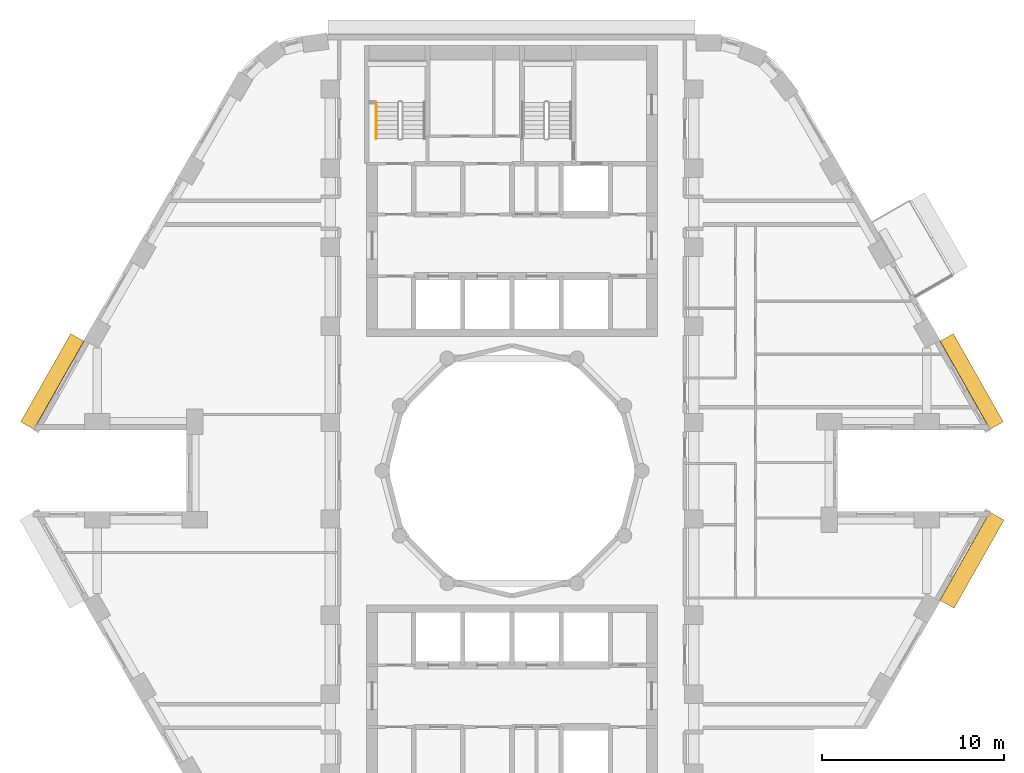
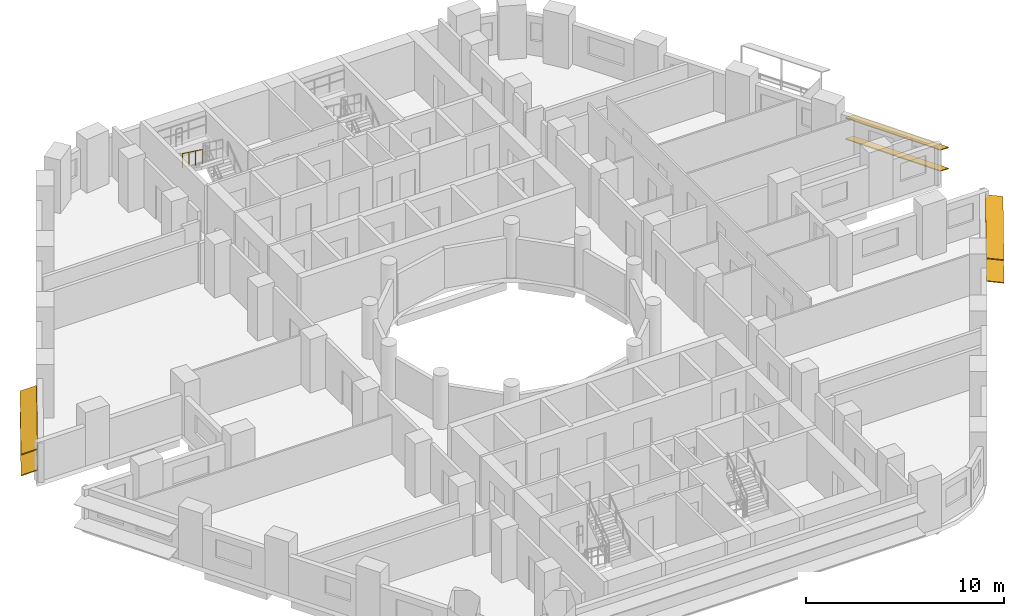
# One storey, part 12 of 13: 6 shading devices, 1 railing.
"""IFC4 building model written with IfcOpenShell, lengths in metres."""

from ifc_helpers import new_model, si_unit, direction, frame, origin, origin_2d, place, context, subcontext, project, spatial, rectangle, circle, extrude, material, material_profile, profile_set, type_object, element, save


model = new_model("IFC4")

# Units and contexts
model_context = context("Model", 3, precision=1e-05, world=origin(), true_north=direction((0.0, 1.0)))
body_context = subcontext(model_context, "Body", "Model", "MODEL_VIEW")
ifc_project = project(units=[si_unit("LENGTHUNIT", "METRE"), si_unit("AREAUNIT", "SQUARE_METRE"), si_unit("VOLUMEUNIT", "CUBIC_METRE"), si_unit("PLANEANGLEUNIT", "RADIAN"), si_unit("MASSUNIT", "GRAM", prefix="KILO")], contexts=[model_context])

# Site, building, storey
site_placement = place(None, origin())
site = spatial("IfcSite", under=ifc_project, at=site_placement, CompositionType="ELEMENT")
building_placement = place(site_placement, origin())
building = spatial("IfcBuilding", under=site, at=building_placement, Name="Nakaniwa Court", CompositionType="ELEMENT")
storey_placement = place(building_placement, frame((0.0, 0.0, 84.300048828125)))
storey = spatial("IfcBuildingStorey", under=building, at=storey_placement, Name="L21", CompositionType="ELEMENT", Elevation=84.300048828125)

# Shading devices
ifc_material_1 = material(Name="Perforated charcoal ceramic louvre blade")
ifc_material_profile = material_profile(ifc_material_1, rectangle(XDim=0.89990234375, YDim=0.050048828125, at=origin_2d()), Name="Perforated ceramic louvre blade")
ifc_profile_set = profile_set([ifc_material_profile], Name="Perforated charcoal ceramic louvre blade")
shading_device_type = type_object("IfcShadingDeviceType", Name="Perforated ceramic louvre blade", PredefinedType="JALOUSIE", material=ifc_profile_set)
for number, where, z_axis, x_axis, name in (
    (1, (106.662353515625, 82.480224609375, 0.550048828125), (-0.492438058427, 0.870347493024, 0.0), (-0.804676322539, -0.455281653718, 0.38107037635), "L21 perforated ceramic louvre blade w02 1"),
    (2, (106.662353515625, 82.480224609375, 1.845458984375), (-0.492438058427, 0.870347493024, 0.0), (-0.804676322539, -0.455281653718, 0.38107037635), "L21 perforated ceramic louvre blade w02 2"),
    (3, (56.083740234375, 87.333740234375, 0.550048828125), (-0.492438058427, -0.870347493024, 0.0), (0.804676322539, -0.455281653718, 0.38107037635), "L21 perforated ceramic louvre blade w14 1"),
    (4, (56.083740234375, 87.333740234375, 1.845458984375), (-0.492438058427, -0.870347493024, 0.0), (0.804676322539, -0.455281653718, 0.38107037635), "L21 perforated ceramic louvre blade w14 2"),
    (5, (103.93701171875, 72.654541015625, 0.550048828125), (0.492438058427, 0.870347493024, 0.0), (-0.862701960504, 0.488112256124, 0.132256390257), "L21 perforated ceramic louvre blade w32 1"),
    (6, (103.93701171875, 72.654541015625, 1.95556640625), (0.492438058427, 0.870347493024, 0.0), (-0.862701960504, 0.488112256124, 0.132256390257), "L21 perforated ceramic louvre blade w32 2"),
):
    element("IfcShadingDevice", number, at=place(storey_placement, frame(where, z_axis=z_axis, x_axis=x_axis)), inside=storey, type_object=shading_device_type, Name=name, PredefinedType="JALOUSIE", context=body_context, shape_type="SweptSolid", body=[
        extrude(rectangle(XDim=0.89990234375, YDim=0.050048828125, at=origin_2d()), origin(), (0.0, 0.0, 1.0), 5.576416015625),
    ])

# Railing
ifc_material_2 = material(Name="Black powder coated steel handrail", Category="steel")
railing_type = type_object("IfcRailingType", Name="Stair handrail 900", PredefinedType="HANDRAIL", material=ifc_material_2)
railing_placement = place(storey_placement, frame((72.52490234375, 100.27490234375, 1.833251953125)))
element("IfcRailing", 7, at=railing_placement, inside=storey, type_object=railing_type, Name="L21 ST1 stair handrail 2", PredefinedType="HANDRAIL", context=body_context, shape_type="SweptSolid", body=[
    extrude(circle(Radius=0.02392578125, at=origin_2d()), frame((0.0, 0.0, 0.8759765625), z_axis=(0.0, -0.806379959628, 0.591397802423), x_axis=(1.0, 0.0, 0.0)), (0.0, 0.0, 1.0), 2.480224609375),
    extrude(circle(Radius=0.02099609375, at=origin_2d()), origin(), (0.0, 0.0, 1.0), 0.851806640625),
    extrude(circle(Radius=0.02099609375, at=origin_2d()), frame((0.0, -0.666748046875, 0.489013671875)), (0.0, 0.0, 1.0), 0.851806640625),
    extrude(circle(Radius=0.02099609375, at=origin_2d()), frame((0.0, -1.333251953125, 0.977783203125)), (0.0, 0.0, 1.0), 0.851806640625),
    extrude(circle(Radius=0.02099609375, at=origin_2d()), frame((0.0, -2.0, 1.466796875)), (0.0, 0.0, 1.0), 0.851806640625),
])

save(model, "model.ifc")
